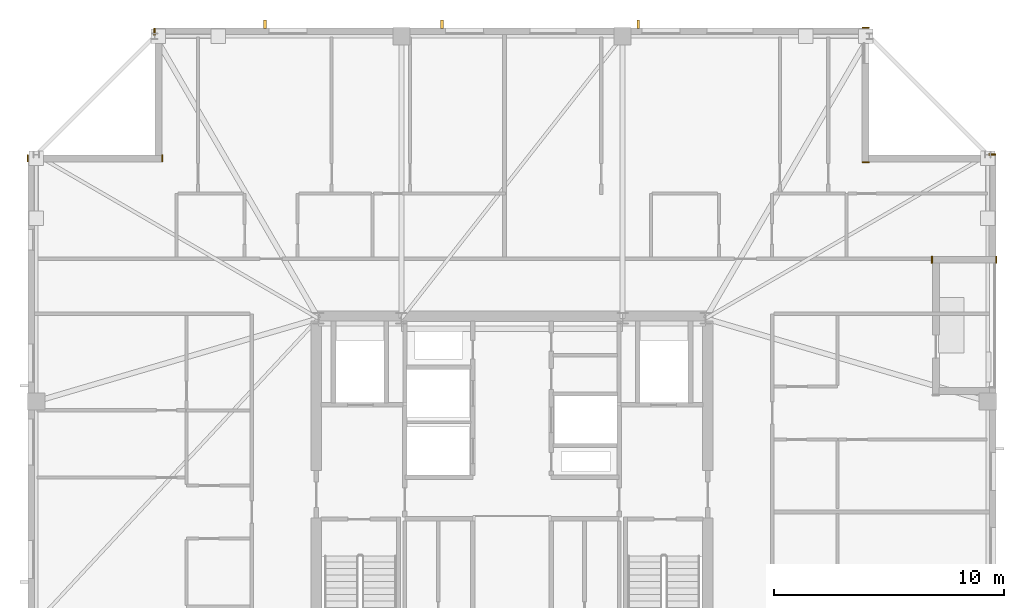
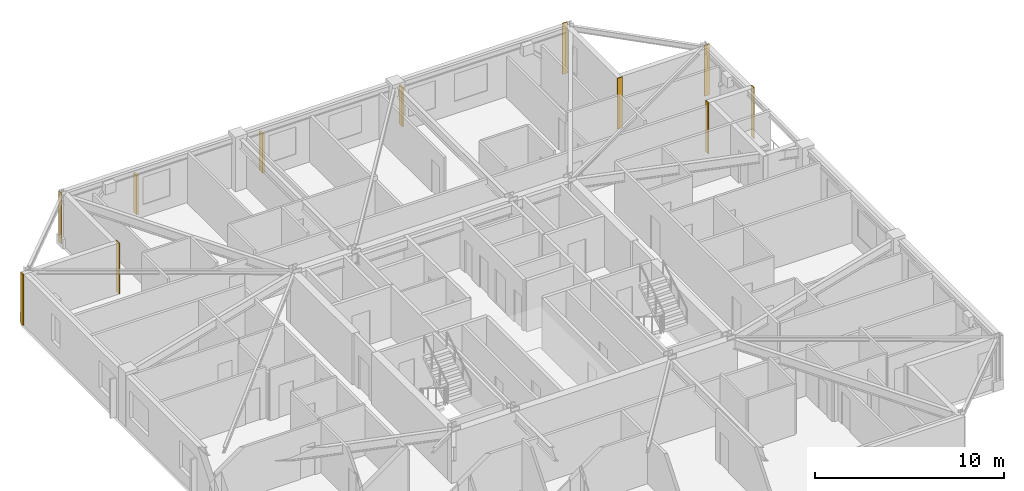
# One storey, part 16 of 16: 8 coverings, 3 shading devices.
"""IFC4 building model written with IfcOpenShell, lengths in metres."""

from ifc_helpers import new_model, si_unit, direction, frame, frame_2d, origin, origin_2d, place, context, subcontext, project, spatial, rectangle, extrude, material, layer, layer_set, type_object, element, save


model = new_model("IFC4")

# Units and contexts
model_context = context("Model", 3, precision=1e-05, world=origin(), true_north=direction((0.0, 1.0)))
body_context = subcontext(model_context, "Body", "Model", "MODEL_VIEW")
ifc_project = project(units=[si_unit("LENGTHUNIT", "METRE"), si_unit("AREAUNIT", "SQUARE_METRE"), si_unit("VOLUMEUNIT", "CUBIC_METRE"), si_unit("PLANEANGLEUNIT", "RADIAN"), si_unit("MASSUNIT", "GRAM", prefix="KILO")], contexts=[model_context])

# Site, building, storey
site_placement = place(None, origin())
site = spatial("IfcSite", under=ifc_project, at=site_placement, CompositionType="ELEMENT")
building_placement = place(site_placement, origin())
building = spatial("IfcBuilding", under=site, at=building_placement, Name="Cairnveth Concourse Tower", CompositionType="ELEMENT")
storey_placement = place(building_placement, frame((0.0, 0.0, 312.0)))
storey = spatial("IfcBuildingStorey", under=building, at=storey_placement, Name="L86", CompositionType="ELEMENT", Elevation=312.0)

# Coverings
ifc_material_1 = material(Name="Dressed Melbourne Bluestone Cladding", Category="masonry")
ifc_layer = layer(ifc_material_1, 0.050048828125)
ifc_layer_set = layer_set([ifc_layer], Name="Dressed Melbourne Bluestone Cladding")
covering_type = type_object("IfcCoveringType", Name="DRESSED BLUESTONE PLINTH CLADDING 50", PredefinedType="CLADDING", material=ifc_layer_set)
for number, where, z_axis, x_axis, name in (
    (1, (30.97998046875, 54.199951171875, 0.0), (0.0, 0.0, 1.0), (0.0, 1.0, 0.0), "Melbourne Bluestone Corner Quoin L86-1314"),
    (2, (36.820068359375, 54.199951171875, 0.0), (0.0, 0.0, 1.0), (0.0, 1.0, 0.0), "Melbourne Bluestone Corner Quoin L86-1315"),
    (3, (36.47998046875, 59.699951171875, 0.0), (0.0, 0.0, 1.0), (0.0, 1.0, 0.0), "Melbourne Bluestone Corner Quoin L86-1316"),
    (4, (67.199951171875, 60.02001953125, 0.0), (0.0, 0.0, 1.0), (1.0, 0.0, 0.0), "Melbourne Bluestone Corner Quoin L86-1317"),
    (5, (67.199951171875, 54.179931640625, 0.0), (0.0, 0.0, 1.0), (1.0, 0.0, 0.0), "Melbourne Bluestone Corner Quoin L86-1318"),
    (6, (72.699951171875, 54.52001953125, 0.0), (0.0, 0.0, 1.0), (1.0, 0.0, 0.0), "Melbourne Bluestone Corner Quoin L86-1319"),
    (7, (73.02001953125, 50.10009765625, 0.0), (0.0, 0.0, 1.0), (0.0, -1.0, 0.0), "Melbourne Bluestone Corner Quoin L86-1320"),
    (8, (70.22998046875, 50.10009765625, 0.0), (0.0, 0.0, 1.0), (0.0, -1.0, 0.0), "Melbourne Bluestone Corner Quoin L86-1321"),
):
    element("IfcCovering", number, at=place(storey_placement, frame(where, z_axis=z_axis, x_axis=x_axis)), inside=storey, type_object=covering_type, Name=name, PredefinedType="CLADDING", context=body_context, shape_type="SweptSolid", body=[
        extrude(rectangle(XDim=0.300048828125, YDim=0.050048828125, at=frame_2d((0.14990234375, 0.0))), origin(), (0.0, 0.0, 1.0), 3.2900390625),
    ])

# Shading devices
ifc_material_2 = material(Name="Architectural Bronze Anodised Aluminium 6063-T6", Category="aluminium")
shading_device_type = type_object("IfcShadingDeviceType", Name="GOTHIC BRONZE VERTICAL LANCET FIN", PredefinedType="USERDEFINED", material=ifc_material_2)
for number, where, z_axis, x_axis, name in (
    (9, (41.283447265625, 60.175048828125, 0.030029296875), (0.0, 0.0, 1.0), (1.0, 0.0, 0.0), "Gothic Bronze Vertical Fin L86-9-1"),
    (10, (48.95751953125, 60.175048828125, 0.030029296875), (0.0, 0.0, 1.0), (1.0, 0.0, 0.0), "Gothic Bronze Vertical Fin L86-9-3"),
    (11, (57.4814453125, 60.175048828125, 0.030029296875), (0.0, 0.0, 1.0), (1.0, 0.0, 0.0), "Gothic Bronze Vertical Fin L86-9-5"),
):
    element("IfcShadingDevice", number, at=place(storey_placement, frame(where, z_axis=z_axis, x_axis=x_axis)), inside=storey, type_object=shading_device_type, Name=name, ObjectType="VERTICAL FIN", PredefinedType="USERDEFINED", context=body_context, shape_type="SweptSolid", body=[
        extrude(rectangle(XDim=0.1201171875, YDim=0.360107421875, at=origin_2d()), origin(), (0.0, 0.0, 1.0), 2.51806640625),
    ])

save(model, "model.ifc")
